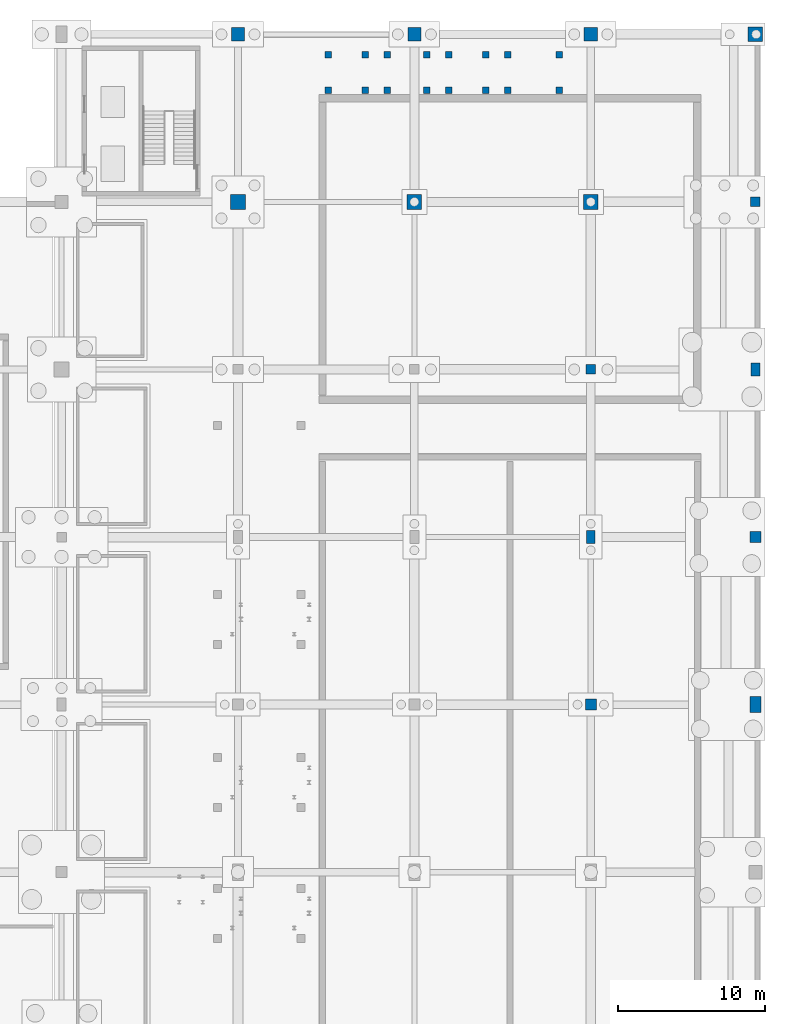
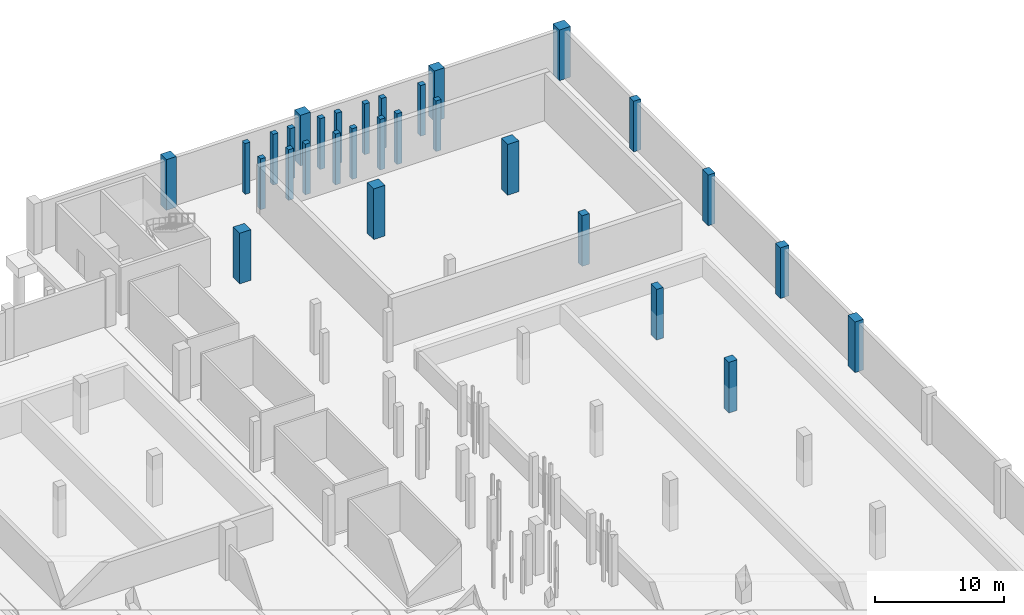
# One storey, part 18 of 34: 30 columns.
"""IFC4 building model written with IfcOpenShell, lengths in metres."""

from ifc_helpers import new_model, si_unit, direction, frame, origin, origin_2d, place, context, subcontext, project, spatial, rectangle, extrude, material, material_profile, profile_set, type_object, element, save


model = new_model("IFC4")

# Units and contexts
model_context = context("Model", 3, precision=1e-05, world=origin(), true_north=direction((0.0, 1.0)))
body_context = subcontext(model_context, "Body", "Model", "MODEL_VIEW")
ifc_project = project(units=[si_unit("LENGTHUNIT", "METRE"), si_unit("AREAUNIT", "SQUARE_METRE"), si_unit("VOLUMEUNIT", "CUBIC_METRE"), si_unit("PLANEANGLEUNIT", "RADIAN"), si_unit("MASSUNIT", "GRAM", prefix="KILO"), si_unit("POWERUNIT", "WATT"), si_unit("THERMODYNAMICTEMPERATUREUNIT", "KELVIN")], contexts=[model_context])

# Site, building, storey
site_placement = place(None, origin())
site = spatial("IfcSite", under=ifc_project, at=site_placement, CompositionType="ELEMENT")
building_placement = place(site_placement, origin())
building = spatial("IfcBuilding", under=site, at=building_placement, Name="Kelmbourne Parkland Aquatics Centre", CompositionType="ELEMENT")
storey_placement = place(building_placement, frame((0.0, 0.0, -4.800048828125)))
storey = spatial("IfcBuildingStorey", under=building, at=storey_placement, Name="B1", CompositionType="ELEMENT", Elevation=-4.800048828125)

# Columns
ifc_material = material(Name="Concrete C40/50", Category="concrete")
ifc_material_profile_1 = material_profile(ifc_material, rectangle(XDim=1.0, YDim=1.0, at=origin_2d()), Name="RC 1000x1000")
ifc_profile_set_1 = profile_set([ifc_material_profile_1], Name="Concrete C40/50")
column_type_1 = type_object("IfcColumnType", Name="COL-C01", PredefinedType="COLUMN", material=ifc_profile_set_1)
for number, where, z_axis, x_axis, name in (
    (1, (140.0, 103.39990234375, 0.0), (0.0, 0.0, 1.0), (1.0, 0.0, 0.0), "Structural column Q-13 (B1)"),
    (2, (152.0, 103.39990234375, 0.0), (0.0, 0.0, 1.0), (1.0, 0.0, 0.0), "Structural column R-13 (B1)"),
    (3, (164.0, 103.39990234375, 0.0), (0.0, 0.0, 1.0), (1.0, 0.0, 0.0), "Structural column S-13 (B1)"),
    (4, (175.199951171875, 114.800048828125, 0.0), (0.0, 0.0, 1.0), (1.0, 0.0, 0.0), "Structural column T-14 (B1)"),
):
    element("IfcColumn", number, at=place(storey_placement, frame(where, z_axis=z_axis, x_axis=x_axis)), inside=storey, type_object=column_type_1, Name=name, PredefinedType="COLUMN", context=body_context, shape_type="SweptSolid", body=[
        extrude(rectangle(XDim=1.0, YDim=1.0, at=origin_2d()), origin(), (0.0, 0.0, 1.0), 4.800048828125),
    ])
ifc_material_profile_2 = material_profile(ifc_material, rectangle(XDim=0.89990234375, YDim=0.89990234375, at=origin_2d()), Name="RC 900x900")
ifc_profile_set_2 = profile_set([ifc_material_profile_2], Name="Concrete C40/50")
column_type_2 = type_object("IfcColumnType", Name="COL-C02", PredefinedType="COLUMN", material=ifc_profile_set_2)
for number, where, z_axis, x_axis, name in (
    (5, (140.0, 114.800048828125, 0.0), (0.0, 0.0, 1.0), (1.0, 0.0, 0.0), "Structural column Q-14 (B1)"),
    (6, (152.0, 114.800048828125, 0.0), (0.0, 0.0, 1.0), (1.0, 0.0, 0.0), "Structural column R-14 (B1)"),
    (7, (164.0, 114.800048828125, 0.0), (0.0, 0.0, 1.0), (1.0, 0.0, 0.0), "Structural column S-14 (B1)"),
):
    element("IfcColumn", number, at=place(storey_placement, frame(where, z_axis=z_axis, x_axis=x_axis)), inside=storey, type_object=column_type_2, Name=name, PredefinedType="COLUMN", context=body_context, shape_type="SweptSolid", body=[
        extrude(rectangle(XDim=0.89990234375, YDim=0.89990234375, at=origin_2d()), origin(), (0.0, 0.0, 1.0), 4.800048828125),
    ])
ifc_material_profile_3 = material_profile(ifc_material, rectangle(XDim=0.75, YDim=1.10009765625, at=origin_2d()), Name="RC 750x1100")
ifc_profile_set_3 = profile_set([ifc_material_profile_3], Name="Concrete C40/50")
column_type_3 = type_object("IfcColumnType", Name="COL-C03", PredefinedType="COLUMN", material=ifc_profile_set_3)
column_placement = place(storey_placement, frame((175.199951171875, 69.199951171875, 0.0), z_axis=(0.0, 0.0, 1.0), x_axis=(1.0, 0.0, 0.0)))
element("IfcColumn", 8, at=column_placement, inside=storey, type_object=column_type_3, Name="Structural column T-10 (B1)", PredefinedType="COLUMN", context=body_context, shape_type="SweptSolid", body=[
    extrude(rectangle(XDim=0.75, YDim=1.10009765625, at=origin_2d()), origin(), (0.0, 0.0, 1.0), 4.800048828125),
])
ifc_material_profile_4 = material_profile(ifc_material, rectangle(XDim=0.75, YDim=0.75, at=origin_2d()), Name="RC 750x750")
ifc_profile_set_4 = profile_set([ifc_material_profile_4], Name="Concrete C40/50")
column_type_4 = type_object("IfcColumnType", Name="COL-C04", PredefinedType="COLUMN", material=ifc_profile_set_4)
for number, where, z_axis, x_axis, name in (
    (9, (164.0, 69.199951171875, 0.0), (0.0, 0.0, 1.0), (1.0, 0.0, 0.0), "Structural column S-10 (B1)"),
    (10, (175.199951171875, 80.60009765625, 0.0), (0.0, 0.0, 1.0), (1.0, 0.0, 0.0), "Structural column T-11 (B1)"),
):
    element("IfcColumn", number, at=place(storey_placement, frame(where, z_axis=z_axis, x_axis=x_axis)), inside=storey, type_object=column_type_4, Name=name, PredefinedType="COLUMN", context=body_context, shape_type="SweptSolid", body=[
        extrude(rectangle(XDim=0.75, YDim=0.75, at=origin_2d()), origin(), (0.0, 0.0, 1.0), 4.800048828125),
    ])
ifc_material_profile_5 = material_profile(ifc_material, rectangle(XDim=0.60009765625, YDim=0.89990234375, at=origin_2d()), Name="RC 600x900")
ifc_profile_set_5 = profile_set([ifc_material_profile_5], Name="Concrete C40/50")
column_type_5 = type_object("IfcColumnType", Name="COL-C05", PredefinedType="COLUMN", material=ifc_profile_set_5)
for number, where, z_axis, x_axis, name in (
    (11, (164.0, 80.60009765625, 0.0), (0.0, 0.0, 1.0), (1.0, 0.0, 0.0), "Structural column S-11 (B1)"),
    (12, (175.199951171875, 92.0, 0.0), (0.0, 0.0, 1.0), (1.0, 0.0, 0.0), "Structural column T-12 (B1)"),
):
    element("IfcColumn", number, at=place(storey_placement, frame(where, z_axis=z_axis, x_axis=x_axis)), inside=storey, type_object=column_type_5, Name=name, PredefinedType="COLUMN", context=body_context, shape_type="SweptSolid", body=[
        extrude(rectangle(XDim=0.60009765625, YDim=0.89990234375, at=origin_2d()), origin(), (0.0, 0.0, 1.0), 4.800048828125),
    ])
ifc_material_profile_6 = material_profile(ifc_material, rectangle(XDim=0.64990234375, YDim=0.64990234375, at=origin_2d()), Name="RC 650x650")
ifc_profile_set_6 = profile_set([ifc_material_profile_6], Name="Concrete C40/50")
column_type_6 = type_object("IfcColumnType", Name="COL-C06", PredefinedType="COLUMN", material=ifc_profile_set_6)
for number, where, z_axis, x_axis, name in (
    (13, (164.0, 92.0, 0.0), (0.0, 0.0, 1.0), (1.0, 0.0, 0.0), "Structural column S-12 (B1)"),
    (14, (175.199951171875, 103.39990234375, 0.0), (0.0, 0.0, 1.0), (1.0, 0.0, 0.0), "Structural column T-13 (B1)"),
):
    element("IfcColumn", number, at=place(storey_placement, frame(where, z_axis=z_axis, x_axis=x_axis)), inside=storey, type_object=column_type_6, Name=name, PredefinedType="COLUMN", context=body_context, shape_type="SweptSolid", body=[
        extrude(rectangle(XDim=0.64990234375, YDim=0.64990234375, at=origin_2d()), origin(), (0.0, 0.0, 1.0), 4.800048828125),
    ])
ifc_material_profile_7 = material_profile(ifc_material, rectangle(XDim=0.449951171875, YDim=0.449951171875, at=origin_2d()), Name="RC 450x450")
ifc_profile_set_7 = profile_set([ifc_material_profile_7], Name="Concrete C40/50")
column_type_7 = type_object("IfcColumnType", Name="COL-C08", PredefinedType="COLUMN", material=ifc_profile_set_7)
for number, where, z_axis, x_axis, name in (
    (15, (146.14990234375, 111.0, 0.0), (0.0, 0.0, 1.0), (1.0, 0.0, 0.0), "Diving tower basement pier 3M-1"),
    (16, (148.64990234375, 111.0, 0.0), (0.0, 0.0, 1.0), (1.0, 0.0, 0.0), "Diving tower basement pier 3M-2"),
    (17, (146.14990234375, 113.39990234375, 0.0), (0.0, 0.0, 1.0), (1.0, 0.0, 0.0), "Diving tower basement pier 3M-3"),
    (18, (148.64990234375, 113.39990234375, 0.0), (0.0, 0.0, 1.0), (1.0, 0.0, 0.0), "Diving tower basement pier 3M-4"),
    (19, (150.14990234375, 111.0, 0.0), (0.0, 0.0, 1.0), (1.0, 0.0, 0.0), "Diving tower basement pier 5M-1"),
    (20, (152.85009765625, 111.0, 0.0), (0.0, 0.0, 1.0), (1.0, 0.0, 0.0), "Diving tower basement pier 5M-2"),
    (21, (150.14990234375, 113.39990234375, 0.0), (0.0, 0.0, 1.0), (1.0, 0.0, 0.0), "Diving tower basement pier 5M-3"),
    (22, (152.85009765625, 113.39990234375, 0.0), (0.0, 0.0, 1.0), (1.0, 0.0, 0.0), "Diving tower basement pier 5M-4"),
    (23, (154.35009765625, 111.0, 0.0), (0.0, 0.0, 1.0), (1.0, 0.0, 0.0), "Diving tower basement pier 7M5-1"),
    (24, (156.85009765625, 111.0, 0.0), (0.0, 0.0, 1.0), (1.0, 0.0, 0.0), "Diving tower basement pier 7M5-2"),
    (25, (154.35009765625, 113.39990234375, 0.0), (0.0, 0.0, 1.0), (1.0, 0.0, 0.0), "Diving tower basement pier 7M5-3"),
    (26, (156.85009765625, 113.39990234375, 0.0), (0.0, 0.0, 1.0), (1.0, 0.0, 0.0), "Diving tower basement pier 7M5-4"),
    (27, (158.35009765625, 111.0, 0.0), (0.0, 0.0, 1.0), (1.0, 0.0, 0.0), "Diving tower basement pier 10M-1"),
    (28, (161.85009765625, 111.0, 0.0), (0.0, 0.0, 1.0), (1.0, 0.0, 0.0), "Diving tower basement pier 10M-2"),
    (29, (158.35009765625, 113.39990234375, 0.0), (0.0, 0.0, 1.0), (1.0, 0.0, 0.0), "Diving tower basement pier 10M-3"),
    (30, (161.85009765625, 113.39990234375, 0.0), (0.0, 0.0, 1.0), (1.0, 0.0, 0.0), "Diving tower basement pier 10M-4"),
):
    element("IfcColumn", number, at=place(storey_placement, frame(where, z_axis=z_axis, x_axis=x_axis)), inside=storey, type_object=column_type_7, Name=name, PredefinedType="COLUMN", context=body_context, shape_type="SweptSolid", body=[
        extrude(rectangle(XDim=0.449951171875, YDim=0.449951171875, at=origin_2d()), origin(), (0.0, 0.0, 1.0), 4.800048828125),
    ])

save(model, "model.ifc")
